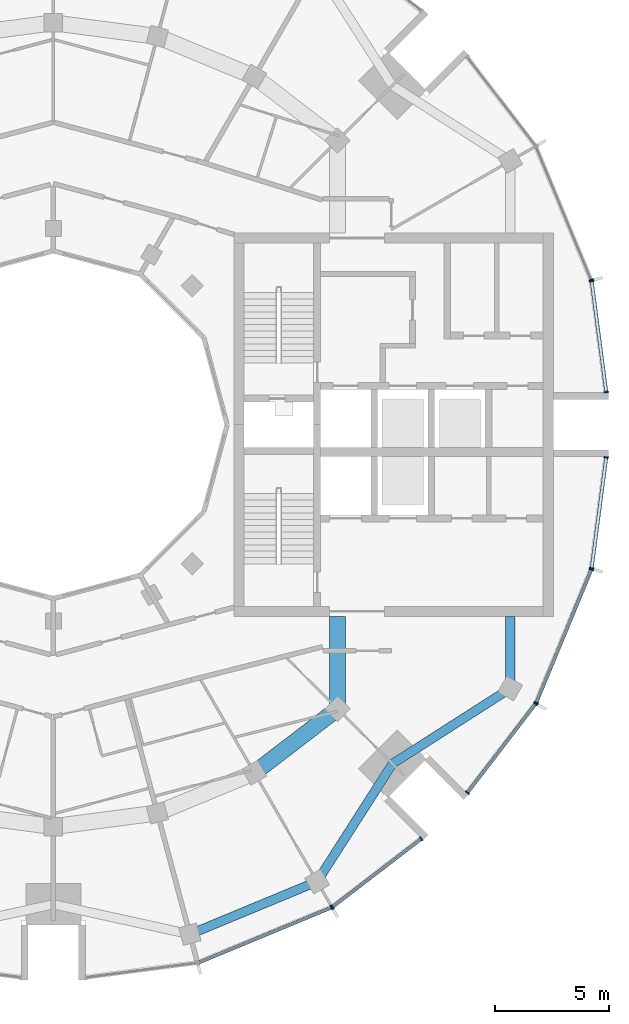
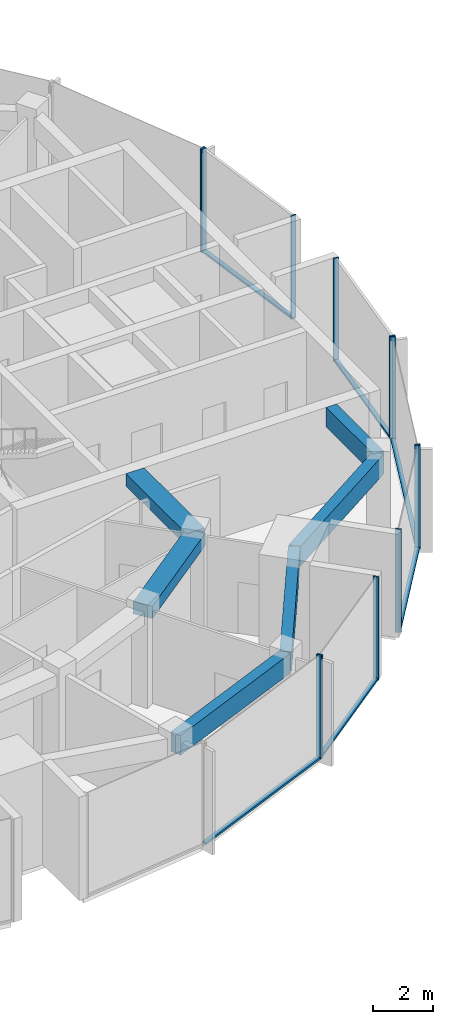
# One storey, part 4 of 15: 18 members, 6 beams, 7 elements without a shape of their own.
"""IFC4 building model written with IfcOpenShell, lengths in metres."""

from ifc_helpers import new_model, si_unit, direction, frame, origin, origin_2d, place, context, subcontext, project, spatial, rectangle, extrude, material, layer, layer_set, material_profile, profile_set, type_object, element, aggregate, save


model = new_model("IFC4")

# Units and contexts
model_context = context("Model", 3, precision=1e-05, world=origin(), true_north=direction((0.0, 1.0)))
body_context = subcontext(model_context, "Body", "Model", "MODEL_VIEW")
ifc_project = project(units=[si_unit("LENGTHUNIT", "METRE"), si_unit("AREAUNIT", "SQUARE_METRE"), si_unit("VOLUMEUNIT", "CUBIC_METRE"), si_unit("PLANEANGLEUNIT", "RADIAN"), si_unit("MASSUNIT", "GRAM", prefix="KILO")], contexts=[model_context])

# Site, building, storey
site_placement = place(None, origin())
site = spatial("IfcSite", under=ifc_project, at=site_placement, CompositionType="ELEMENT")
building_placement = place(site_placement, origin())
building = spatial("IfcBuilding", under=site, at=building_placement, Name="Torre Brocal", CompositionType="ELEMENT")
storey_placement = place(building_placement, frame((0.0, 0.0, 279.89990234375)))
storey = spatial("IfcBuildingStorey", under=building, at=storey_placement, Name="L64", CompositionType="ELEMENT", Elevation=279.89990234375)

# Curtain wall, member
ifc_material_1 = material(Name="Aluminium and glass", Category="aluminium")
ifc_layer_1 = layer(ifc_material_1, 0.199951171875)
ifc_layer_set_1 = layer_set([ifc_layer_1], Name="Aluminium and glass")
curtain_wall_type_1 = type_object("IfcCurtainWallType", Name="CW-1 CURTAIN WALL 4200 HIGH", PredefinedType="NOTDEFINED", material=ifc_layer_set_1)
curtain_wall_1_placement = place(storey_placement, origin())
curtain_wall_1 = element("IfcCurtainWall", 1, at=curtain_wall_1_placement, inside=storey, type_object=curtain_wall_type_1, Name="CW-1 RUN 2", PredefinedType="NOTDEFINED")
ifc_material_2 = material(Name="Aluminium, dark anodised", Category="aluminium")
ifc_material_profile_1 = material_profile(ifc_material_2, rectangle(XDim=0.199951171875, YDim=0.06005859375, at=origin_2d()), Name="CW-1 MULLION 60X200")
ifc_profile_set_1 = profile_set([ifc_material_profile_1], Name="Aluminium, dark anodised")
member_type_1 = type_object("IfcMemberType", Name="CW-1 MULLION 60X200", PredefinedType="MULLION", material=ifc_profile_set_1)
member_1_placement = place(storey_placement, frame((103.556396484375, 81.3427734375, 0.0), z_axis=(0.0, 0.0, 1.0), x_axis=(-0.923879532471, -0.382683432462, 0.0)))
member_1 = element("IfcMember", 2, at=member_1_placement, type_object=member_type_1, Name="CW1-5 mullion 1", PredefinedType="MULLION", context=body_context, shape_type="SweptSolid", body=[
    extrude(rectangle(XDim=0.199951171875, YDim=0.06005859375, at=origin_2d()), origin(), (0.0, 0.0, 1.0), 4.2001953125),
])
aggregate(curtain_wall_1, [member_1])

curtain_wall_2_placement = place(storey_placement, origin())
curtain_wall_2 = element("IfcCurtainWall", 3, at=curtain_wall_2_placement, inside=storey, type_object=curtain_wall_type_1, Name="CW-1 RUN 20", PredefinedType="NOTDEFINED")
member_2_placement = place(storey_placement, frame((92.171875, 53.858154296875, 0.0), z_axis=(0.0, 0.0, 1.0), x_axis=(-0.382683432462, 0.923879532471, 0.0)))
member_2 = element("IfcMember", 4, at=member_2_placement, type_object=member_type_1, Name="CW1-5 mullion 2", PredefinedType="MULLION", context=body_context, shape_type="SweptSolid", body=[
    extrude(rectangle(XDim=0.199951171875, YDim=0.06005859375, at=origin_2d()), origin(), (0.0, 0.0, 1.0), 4.2001953125),
])

# Curtain wall, members
curtain_wall_3_placement = place(storey_placement, origin())
curtain_wall_3 = element("IfcCurtainWall", 5, at=curtain_wall_3_placement, inside=storey, type_object=curtain_wall_type_1, Name="CW-1 RUN 21", PredefinedType="NOTDEFINED")
member_3_placement = place(storey_placement, frame((92.223388671875, 53.887939453125, 0.0), z_axis=(0.0, 0.0, 1.0), x_axis=(-0.608761428939, 0.793353340344, 0.0)))
member_3 = element("IfcMember", 6, at=member_3_placement, type_object=member_type_1, Name="CW1-5 mullion 1", PredefinedType="MULLION", context=body_context, shape_type="SweptSolid", body=[
    extrude(rectangle(XDim=0.199951171875, YDim=0.06005859375, at=origin_2d()), origin(), (0.0, 0.0, 1.0), 4.2001953125),
])
member_4_placement = place(storey_placement, frame((96.108642578125, 56.869384765625, 0.0), z_axis=(0.0, 0.0, 1.0), x_axis=(-0.608761428939, 0.793353340344, 0.0)))
member_4 = element("IfcMember", 7, at=member_4_placement, type_object=member_type_1, Name="CW1-5 mullion 2", PredefinedType="MULLION", context=body_context, shape_type="SweptSolid", body=[
    extrude(rectangle(XDim=0.199951171875, YDim=0.06005859375, at=origin_2d()), origin(), (0.0, 0.0, 1.0), 4.2001953125),
])

curtain_wall_4_placement = place(storey_placement, origin())
curtain_wall_4 = element("IfcCurtainWall", 8, at=curtain_wall_4_placement, inside=storey, type_object=curtain_wall_type_1, Name="CW-1 RUN 22", PredefinedType="NOTDEFINED")
member_5_placement = place(storey_placement, frame((98.130615234375, 58.891357421875, 0.0), z_axis=(0.0, 0.0, 1.0), x_axis=(-0.793353340344, 0.608761428939, 0.0)))
member_5 = element("IfcMember", 9, at=member_5_placement, type_object=member_type_1, Name="CW1-5 mullion 1", PredefinedType="MULLION", context=body_context, shape_type="SweptSolid", body=[
    extrude(rectangle(XDim=0.199951171875, YDim=0.06005859375, at=origin_2d()), origin(), (0.0, 0.0, 1.0), 4.2001953125),
])
member_6_placement = place(storey_placement, frame((101.112060546875, 62.776611328125, 0.0), z_axis=(0.0, 0.0, 1.0), x_axis=(-0.793353340344, 0.608761428939, 0.0)))
member_6 = element("IfcMember", 10, at=member_6_placement, type_object=member_type_1, Name="CW1-5 mullion 2", PredefinedType="MULLION", context=body_context, shape_type="SweptSolid", body=[
    extrude(rectangle(XDim=0.199951171875, YDim=0.06005859375, at=origin_2d()), origin(), (0.0, 0.0, 1.0), 4.2001953125),
])

curtain_wall_5_placement = place(storey_placement, origin())
curtain_wall_5 = element("IfcCurtainWall", 11, at=curtain_wall_5_placement, inside=storey, type_object=curtain_wall_type_1, Name="CW-1 RUN 23", PredefinedType="NOTDEFINED")
member_7_placement = place(storey_placement, frame((101.141845703125, 62.828125, 0.0), z_axis=(0.0, 0.0, 1.0), x_axis=(-0.923879532471, 0.382683432462, 0.0)))
member_7 = element("IfcMember", 12, at=member_7_placement, type_object=member_type_1, Name="CW1-5 mullion 1", PredefinedType="MULLION", context=body_context, shape_type="SweptSolid", body=[
    extrude(rectangle(XDim=0.199951171875, YDim=0.06005859375, at=origin_2d()), origin(), (0.0, 0.0, 1.0), 4.2001953125),
])
member_8_placement = place(storey_placement, frame((103.556396484375, 68.6572265625, 0.0), z_axis=(0.0, 0.0, 1.0), x_axis=(-0.923879532471, 0.382683432462, 0.0)))
member_8 = element("IfcMember", 13, at=member_8_placement, type_object=member_type_1, Name="CW1-5 mullion 2", PredefinedType="MULLION", context=body_context, shape_type="SweptSolid", body=[
    extrude(rectangle(XDim=0.199951171875, YDim=0.06005859375, at=origin_2d()), origin(), (0.0, 0.0, 1.0), 4.2001953125),
])

# Member
ifc_material_3 = material(Name="Aluminium, dark anodised", Category="aluminium")
ifc_material_profile_2 = material_profile(ifc_material_3, rectangle(XDim=0.159912109375, YDim=0.080078125, at=origin_2d()), Name="CW-1 TRANSOM 160X80")
ifc_profile_set_2 = profile_set([ifc_material_profile_2], Name="Aluminium, dark anodised")
member_type_2 = type_object("IfcMemberType", Name="CW-1 TRANSOM 160X80", PredefinedType="USERDEFINED", material=ifc_profile_set_2)
member_9_placement = place(storey_placement, frame((86.370361328125, 51.455322265625, 0.0400390625), z_axis=(0.923889705363, 0.382658872004, 0.0), x_axis=(-0.382658872004, 0.923889705363, 0.0)))
member_9 = element("IfcMember", 14, at=member_9_placement, type_object=member_type_2, Name="CW1-5 transom 1.1", ObjectType="TRANSOM", PredefinedType="USERDEFINED", context=body_context, shape_type="SweptSolid", body=[
    extrude(rectangle(XDim=0.159912109375, YDim=0.080078125, at=origin_2d()), origin(), (0.0, 0.0, 1.0), 6.249267578125),
])

aggregate(curtain_wall_2, [member_2, member_9])

member_10_placement = place(storey_placement, frame((92.2470703125, 53.90625, 0.0400390625), z_axis=(0.793362608569, 0.608749350163, 0.0), x_axis=(-0.608749350163, 0.793362608569, 0.0)))
member_10 = element("IfcMember", 15, at=member_10_placement, type_object=member_type_2, Name="CW1-5 transom 1.1", ObjectType="TRANSOM", PredefinedType="USERDEFINED", context=body_context, shape_type="SweptSolid", body=[
    extrude(rectangle(XDim=0.159912109375, YDim=0.080078125, at=origin_2d()), origin(), (0.0, 0.0, 1.0), 4.83740234375),
])

aggregate(curtain_wall_3, [member_3, member_4, member_10])

member_11_placement = place(storey_placement, frame((98.14892578125, 58.9150390625, 0.0400390625), z_axis=(0.608749350163, 0.793362608569, 0.0), x_axis=(-0.793362608569, 0.608749350163, 0.0)))
member_11 = element("IfcMember", 16, at=member_11_placement, type_object=member_type_2, Name="CW1-5 transom 1.1", ObjectType="TRANSOM", PredefinedType="USERDEFINED", context=body_context, shape_type="SweptSolid", body=[
    extrude(rectangle(XDim=0.159912109375, YDim=0.080078125, at=origin_2d()), origin(), (0.0, 0.0, 1.0), 4.83740234375),
])

aggregate(curtain_wall_4, [member_5, member_6, member_11])

member_12_placement = place(storey_placement, frame((101.1533203125, 62.85595703125, 0.0400390625), z_axis=(0.382658872004, 0.923889705363, 0.0), x_axis=(-0.923889705363, 0.382658872004, 0.0)))
member_12 = element("IfcMember", 17, at=member_12_placement, type_object=member_type_2, Name="CW1-5 transom 1.1", ObjectType="TRANSOM", PredefinedType="USERDEFINED", context=body_context, shape_type="SweptSolid", body=[
    extrude(rectangle(XDim=0.159912109375, YDim=0.080078125, at=origin_2d()), origin(), (0.0, 0.0, 1.0), 6.249267578125),
])

aggregate(curtain_wall_5, [member_7, member_8, member_12])

# Curtain wall, members
ifc_material_4 = material(Name="Aluminium and glass", Category="aluminium")
ifc_layer_2 = layer(ifc_material_4, 0.199951171875)
ifc_layer_set_2 = layer_set([ifc_layer_2], Name="Aluminium and glass")
curtain_wall_type_2 = type_object("IfcCurtainWallType", Name="CW-1B CURTAIN WALL 4200 HIGH", PredefinedType="NOTDEFINED", material=ifc_layer_set_2)
curtain_wall_6_placement = place(storey_placement, origin())
curtain_wall_6 = element("IfcCurtainWall", 18, at=curtain_wall_6_placement, inside=storey, type_object=curtain_wall_type_2, Name="CW-1B RUN 1", PredefinedType="NOTDEFINED")
ifc_material_5 = material(Name="Aluminium, dark anodised", Category="aluminium")
ifc_material_profile_3 = material_profile(ifc_material_5, rectangle(XDim=0.199951171875, YDim=0.06005859375, at=origin_2d()), Name="CW-1B MULLION 60X200")
ifc_profile_set_3 = profile_set([ifc_material_profile_3], Name="Aluminium, dark anodised")
member_type_3 = type_object("IfcMemberType", Name="CW-1B MULLION 60X200", PredefinedType="MULLION", material=ifc_profile_set_3)
member_13_placement = place(storey_placement, frame((104.2109375, 76.4296875, 0.0), z_axis=(0.0, 0.0, 1.0), x_axis=(-0.991444861387, -0.130526192116, 0.0)))
member_13 = element("IfcMember", 19, at=member_13_placement, type_object=member_type_3, Name="CW1B-5 mullion 1", PredefinedType="MULLION", context=body_context, shape_type="SweptSolid", body=[
    extrude(rectangle(XDim=0.199951171875, YDim=0.06005859375, at=origin_2d()), origin(), (0.0, 0.0, 1.0), 4.2001953125),
])
member_14_placement = place(storey_placement, frame((103.57177734375, 81.28515625, 0.0), z_axis=(0.0, 0.0, 1.0), x_axis=(-0.991444861387, -0.130526192116, 0.0)))
member_14 = element("IfcMember", 20, at=member_14_placement, type_object=member_type_3, Name="CW1B-5 mullion 2", PredefinedType="MULLION", context=body_context, shape_type="SweptSolid", body=[
    extrude(rectangle(XDim=0.199951171875, YDim=0.06005859375, at=origin_2d()), origin(), (0.0, 0.0, 1.0), 4.2001953125),
])

curtain_wall_7_placement = place(storey_placement, origin())
curtain_wall_7 = element("IfcCurtainWall", 21, at=curtain_wall_7_placement, inside=storey, type_object=curtain_wall_type_2, Name="CW-1B RUN 24", PredefinedType="NOTDEFINED")
member_15_placement = place(storey_placement, frame((103.57177734375, 68.71484375, 0.0), z_axis=(0.0, 0.0, 1.0), x_axis=(-0.991444861387, 0.130526192116, 0.0)))
member_15 = element("IfcMember", 22, at=member_15_placement, type_object=member_type_3, Name="CW1B-5 mullion 1", PredefinedType="MULLION", context=body_context, shape_type="SweptSolid", body=[
    extrude(rectangle(XDim=0.199951171875, YDim=0.06005859375, at=origin_2d()), origin(), (0.0, 0.0, 1.0), 4.2001953125),
])
member_16_placement = place(storey_placement, frame((104.2109375, 73.5703125, 0.0), z_axis=(0.0, 0.0, 1.0), x_axis=(-0.991444861387, 0.130526192116, 0.0)))
member_16 = element("IfcMember", 23, at=member_16_placement, type_object=member_type_3, Name="CW1B-5 mullion 2", PredefinedType="MULLION", context=body_context, shape_type="SweptSolid", body=[
    extrude(rectangle(XDim=0.199951171875, YDim=0.06005859375, at=origin_2d()), origin(), (0.0, 0.0, 1.0), 4.2001953125),
])

# Member
ifc_material_6 = material(Name="Aluminium, dark anodised", Category="aluminium")
ifc_material_profile_4 = material_profile(ifc_material_6, rectangle(XDim=0.159912109375, YDim=0.080078125, at=origin_2d()), Name="CW-1B TRANSOM 160X80")
ifc_profile_set_4 = profile_set([ifc_material_profile_4], Name="Aluminium, dark anodised")
member_type_4 = type_object("IfcMemberType", Name="CW-1B TRANSOM 160X80", PredefinedType="USERDEFINED", material=ifc_profile_set_4)
member_17_placement = place(storey_placement, frame((104.20703125, 76.45947265625, 0.0400390625), z_axis=(-0.130517179786, 0.991446047842, 0.0), x_axis=(-0.991446047842, -0.130517179786, 0.0)))
member_17 = element("IfcMember", 24, at=member_17_placement, type_object=member_type_4, Name="CW1B-5 transom 1.1", ObjectType="TRANSOM", PredefinedType="USERDEFINED", context=body_context, shape_type="SweptSolid", body=[
    extrude(rectangle(XDim=0.159912109375, YDim=0.080078125, at=origin_2d()), origin(), (0.0, 0.0, 1.0), 4.837158203125),
])

aggregate(curtain_wall_6, [member_13, member_14, member_17])

member_18_placement = place(storey_placement, frame((103.57568359375, 68.74462890625, 0.0400390625), z_axis=(0.130517179786, 0.991446047842, 0.0), x_axis=(-0.991446047842, 0.130517179786, 0.0)))
member_18 = element("IfcMember", 25, at=member_18_placement, type_object=member_type_4, Name="CW1B-5 transom 1.1", ObjectType="TRANSOM", PredefinedType="USERDEFINED", context=body_context, shape_type="SweptSolid", body=[
    extrude(rectangle(XDim=0.159912109375, YDim=0.080078125, at=origin_2d()), origin(), (0.0, 0.0, 1.0), 4.837158203125),
])

aggregate(curtain_wall_7, [member_15, member_16, member_18])

# Beams
ifc_material_7 = material(Name="Concrete C50", Category="concrete")
ifc_material_profile_5 = material_profile(ifc_material_7, rectangle(XDim=0.699951171875, YDim=0.5, at=origin_2d()), Name="RC 700X500")
ifc_profile_set_5 = profile_set([ifc_material_profile_5], Name="Concrete C50")
beam_type_1 = type_object("IfcBeamType", Name="RC BEAM 700X500 C50 TOP 3880", PredefinedType="BEAM", material=ifc_profile_set_5)
beam_1_placement = place(storey_placement, frame((88.800048828125, 59.758056640625, 3.630126953125), z_axis=(0.793358265959, 0.6087550097, 0.0), x_axis=(-0.6087550097, 0.793358265959, 0.0)))
element("IfcBeam", 26, at=beam_1_placement, inside=storey, type_object=beam_type_1, Name="Beam BT-37", PredefinedType="BEAM", context=body_context, shape_type="SweptSolid", body=[
    extrude(rectangle(XDim=0.699951171875, YDim=0.5, at=origin_2d()), origin(), (0.0, 0.0, 1.0), 4.594482421875),
])
beam_2_placement = place(storey_placement, frame((92.445068359375, 62.554931640625, 3.630126953125), z_axis=(0.0, 1.0, 0.0), x_axis=(-1.0, 0.0, 0.0)))
element("IfcBeam", 27, at=beam_2_placement, inside=storey, type_object=beam_type_1, Name="Beam BT-37", PredefinedType="BEAM", context=body_context, shape_type="SweptSolid", body=[
    extrude(rectangle(XDim=0.699951171875, YDim=0.5, at=origin_2d()), origin(), (0.0, 0.0, 1.0), 4.045166015625),
])
ifc_material_8 = material(Name="Concrete C50", Category="concrete")
ifc_material_profile_6 = material_profile(ifc_material_8, rectangle(XDim=0.39990234375, YDim=0.800048828125, at=origin_2d()), Name="RC 400X800")
ifc_profile_set_6 = profile_set([ifc_material_profile_6], Name="Concrete C50")
beam_type_2 = type_object("IfcBeamType", Name="RC SPANDREL BEAM 400X800 C50 TOP 3880", PredefinedType="SPANDREL", material=ifc_profile_set_6)
beam_3_placement = place(storey_placement, frame((85.978759765625, 52.68701171875, 3.47998046875), z_axis=(0.923870278372, 0.38270577307, 0.0), x_axis=(-0.38270577307, 0.923870278372, 0.0)))
element("IfcBeam", 28, at=beam_3_placement, inside=storey, type_object=beam_type_2, Name="Beam BT-47", PredefinedType="SPANDREL", context=body_context, shape_type="SweptSolid", body=[
    extrude(rectangle(XDim=0.39990234375, YDim=0.800048828125, at=origin_2d()), origin(), (0.0, 0.0, 1.0), 6.0302734375),
])
for number, where, z_axis, x_axis, name in (
    (29, (91.550048828125, 54.994873046875, 3.47998046875), (0.538964280647, 0.842328620069, 0.0), (-0.842328620069, 0.538964280647, 0.0), "Beam BT-47"),
    (30, (94.84912109375, 60.15087890625, 3.47998046875), (0.842328620069, 0.538964280647, 0.0), (-0.538964280647, 0.842328620069, 0.0), "Beam BT-47"),
):
    element("IfcBeam", number, at=place(storey_placement, frame(where, z_axis=z_axis, x_axis=x_axis)), inside=storey, type_object=beam_type_2, Name=name, PredefinedType="SPANDREL", context=body_context, shape_type="SweptSolid", body=[
        extrude(rectangle(XDim=0.39990234375, YDim=0.800048828125, at=origin_2d()), origin(), (0.0, 0.0, 1.0), 6.12109375),
    ])
beam_4_placement = place(storey_placement, frame((100.005126953125, 63.449951171875, 3.47998046875), z_axis=(0.0, 1.0, 0.0), x_axis=(-1.0, 0.0, 0.0)))
element("IfcBeam", 31, at=beam_4_placement, inside=storey, type_object=beam_type_2, Name="Beam BT-47", PredefinedType="SPANDREL", context=body_context, shape_type="SweptSolid", body=[
    extrude(rectangle(XDim=0.39990234375, YDim=0.800048828125, at=origin_2d()), origin(), (0.0, 0.0, 1.0), 3.150146484375),
])

save(model, "model.ifc")
